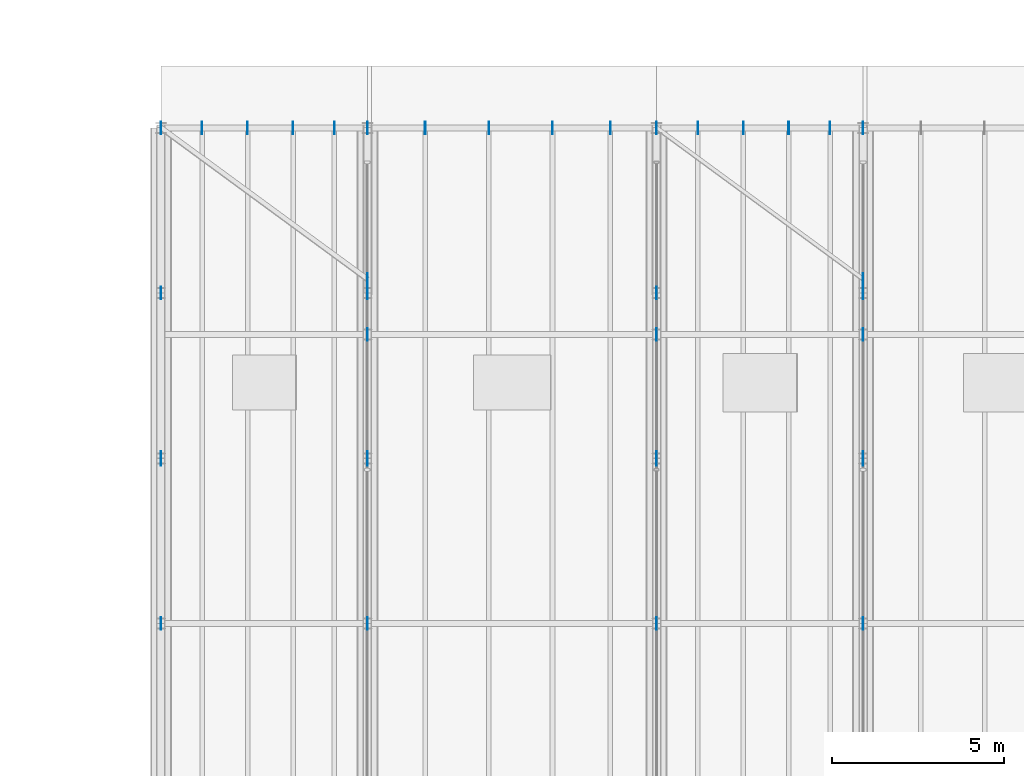
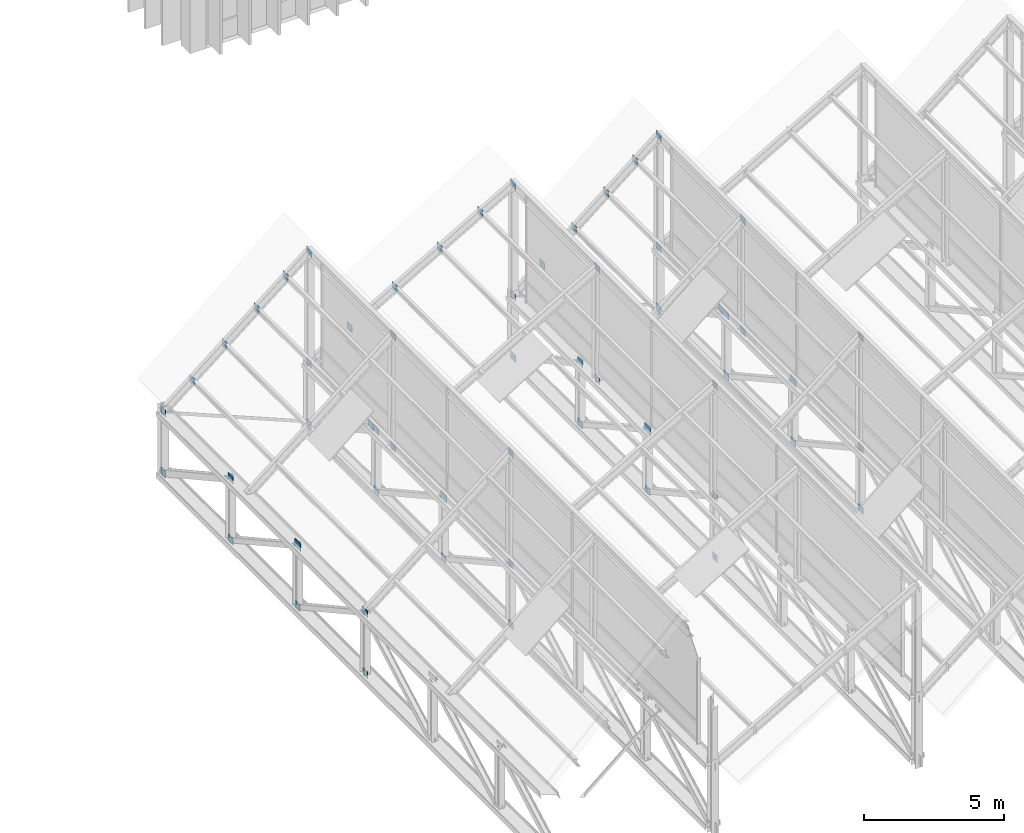
# One storey, part 39 of 101: 58 plates.
"""IFC4 building model written with IfcOpenShell, lengths in metres."""

from ifc_helpers import new_model, si_unit, direction, frame, origin, origin_2d, place, context, subcontext, project, spatial, rectangle, extrude, material, layer, layer_set, type_object, element, save


model = new_model("IFC4")

# Units and contexts
model_context = context("Model", 3, precision=1e-05, world=origin(), true_north=direction((0.0, 1.0)))
body_context = subcontext(model_context, "Body", "Model", "MODEL_VIEW")
ifc_project = project(units=[si_unit("LENGTHUNIT", "METRE"), si_unit("AREAUNIT", "SQUARE_METRE"), si_unit("VOLUMEUNIT", "CUBIC_METRE"), si_unit("PLANEANGLEUNIT", "RADIAN"), si_unit("MASSUNIT", "GRAM", prefix="KILO"), si_unit("THERMODYNAMICTEMPERATUREUNIT", "KELVIN")], contexts=[model_context])

# Site, building, storey
site_placement = place(None, origin())
site = spatial("IfcSite", under=ifc_project, at=site_placement, CompositionType="ELEMENT")
building_placement = place(site_placement, origin())
building = spatial("IfcBuilding", under=site, at=building_placement, Name="Thalorik Housing Commons", CompositionType="ELEMENT")
storey_placement = place(building_placement, frame((0.0, 0.0, 8.10009765625)))
storey = spatial("IfcBuildingStorey", under=building, at=storey_placement, Name="L02", CompositionType="ELEMENT", Elevation=8.10009765625)

# Plates
ifc_material = material(Name="Steel S355", Category="steel")
ifc_layer_1 = layer(ifc_material, 0.01806640625, Name="Steel S355", Category="steel")
ifc_layer_set_1 = layer_set([ifc_layer_1], Name="Steel S355")
plate_type_1 = type_object("IfcPlateType", Name="STR-PLT-GP03", PredefinedType="SHEET", material=ifc_layer_set_1)
for number, where, z_axis, x_axis, name in (
    (1, (66.0, 76.800048828125, 2.830078125), (0.0, 0.0, 1.0), (1.0, 0.0, 0.0), "L02 Truss Node Gusset Plate 3"),
    (2, (72.0, 76.800048828125, 2.830078125), (0.0, 0.0, 1.0), (1.0, 0.0, 0.0), "L02 Truss Node Gusset Plate 7"),
    (3, (80.39990234375, 76.800048828125, 2.830078125), (0.0, 0.0, 1.0), (1.0, 0.0, 0.0), "L02 Truss Node Gusset Plate 11"),
    (4, (86.39990234375, 76.800048828125, 2.830078125), (0.0, 0.0, 1.0), (1.0, 0.0, 0.0), "L02 Truss Node Gusset Plate 15"),
):
    element("IfcPlate", number, at=place(storey_placement, frame(where, z_axis=z_axis, x_axis=x_axis)), inside=storey, type_object=plate_type_1, Name=name, PredefinedType="SHEET", context=body_context, shape_type="SweptSolid", body=[
        extrude(rectangle(XDim=0.01806640625, YDim=0.419921875, at=origin_2d()), origin(), (0.0, 0.0, 1.0), 0.340087890625),
    ])
ifc_layer_2 = layer(ifc_material, 0.01611328125, Name="Steel S355", Category="steel")
ifc_layer_set_2 = layer_set([ifc_layer_2], Name="Steel S355")
plate_type_2 = type_object("IfcPlateType", Name="STR-PLT-GP04", PredefinedType="SHEET", material=ifc_layer_set_2)
for number, where, z_axis, x_axis, name in (
    (5, (66.0, 86.39990234375, 0.19970703125), (0.0, 0.0, 1.0), (1.0, 0.0, 0.0), "L02 Truss Node Gusset Plate 4"),
    (6, (72.0, 86.39990234375, 0.19970703125), (0.0, 0.0, 1.0), (1.0, 0.0, 0.0), "L02 Truss Node Gusset Plate 8"),
    (7, (80.39990234375, 86.39990234375, 0.19970703125), (0.0, 0.0, 1.0), (1.0, 0.0, 0.0), "L02 Truss Node Gusset Plate 12"),
    (8, (86.39990234375, 86.39990234375, 0.19970703125), (0.0, 0.0, 1.0), (1.0, 0.0, 0.0), "L02 Truss Node Gusset Plate 16"),
    (9, (66.0, 86.39990234375, 2.85009765625), (0.0, 0.0, 1.0), (1.0, 0.0, 0.0), "L02 Member End Connection Plate 2"),
    (10, (66.0, 72.0, 0.19970703125), (0.0, 0.0, 1.0), (1.0, 0.0, 0.0), "L02 Member End Connection Plate 6"),
    (11, (66.0, 72.0, 2.85009765625), (0.0, 0.0, 1.0), (1.0, 0.0, 0.0), "L02 Member End Connection Plate 7"),
    (12, (66.0, 76.800048828125, 0.19970703125), (0.0, 0.0, 1.0), (1.0, 0.0, 0.0), "L02 Member End Connection Plate 8"),
    (13, (66.0, 81.60009765625, 0.19970703125), (0.0, 0.0, 1.0), (1.0, 0.0, 0.0), "L02 Member End Connection Plate 9"),
    (14, (66.0, 81.60009765625, 2.85009765625), (0.0, 0.0, 1.0), (1.0, 0.0, 0.0), "L02 Member End Connection Plate 10"),
    (15, (72.0, 86.39990234375, 2.85009765625), (0.0, 0.0, 1.0), (1.0, 0.0, 0.0), "L02 Member End Connection Plate 12"),
    (16, (72.0, 72.0, 0.19970703125), (0.0, 0.0, 1.0), (1.0, 0.0, 0.0), "L02 Member End Connection Plate 16"),
    (17, (72.0, 72.0, 2.85009765625), (0.0, 0.0, 1.0), (1.0, 0.0, 0.0), "L02 Member End Connection Plate 17"),
    (18, (72.0, 76.800048828125, 0.19970703125), (0.0, 0.0, 1.0), (1.0, 0.0, 0.0), "L02 Member End Connection Plate 18"),
    (19, (72.0, 81.60009765625, 0.19970703125), (0.0, 0.0, 1.0), (1.0, 0.0, 0.0), "L02 Member End Connection Plate 19"),
    (20, (72.0, 81.60009765625, 2.85009765625), (0.0, 0.0, 1.0), (1.0, 0.0, 0.0), "L02 Member End Connection Plate 20"),
    (21, (80.39990234375, 86.39990234375, 2.85009765625), (0.0, 0.0, 1.0), (1.0, 0.0, 0.0), "L02 Member End Connection Plate 22"),
    (22, (80.39990234375, 72.0, 0.19970703125), (0.0, 0.0, 1.0), (1.0, 0.0, 0.0), "L02 Member End Connection Plate 26"),
    (23, (80.39990234375, 72.0, 2.85009765625), (0.0, 0.0, 1.0), (1.0, 0.0, 0.0), "L02 Member End Connection Plate 27"),
    (24, (80.39990234375, 76.800048828125, 0.19970703125), (0.0, 0.0, 1.0), (1.0, 0.0, 0.0), "L02 Member End Connection Plate 28"),
    (25, (80.39990234375, 81.60009765625, 0.19970703125), (0.0, 0.0, 1.0), (1.0, 0.0, 0.0), "L02 Member End Connection Plate 29"),
    (26, (80.39990234375, 81.60009765625, 2.85009765625), (0.0, 0.0, 1.0), (1.0, 0.0, 0.0), "L02 Member End Connection Plate 30"),
    (27, (86.39990234375, 86.39990234375, 2.85009765625), (0.0, 0.0, 1.0), (1.0, 0.0, 0.0), "L02 Member End Connection Plate 32"),
    (28, (86.39990234375, 72.0, 0.19970703125), (0.0, 0.0, 1.0), (1.0, 0.0, 0.0), "L02 Member End Connection Plate 36"),
    (29, (86.39990234375, 72.0, 2.85009765625), (0.0, 0.0, 1.0), (1.0, 0.0, 0.0), "L02 Member End Connection Plate 37"),
    (30, (86.39990234375, 76.800048828125, 0.19970703125), (0.0, 0.0, 1.0), (1.0, 0.0, 0.0), "L02 Member End Connection Plate 38"),
    (31, (86.39990234375, 81.60009765625, 0.19970703125), (0.0, 0.0, 1.0), (1.0, 0.0, 0.0), "L02 Member End Connection Plate 39"),
    (32, (86.39990234375, 81.60009765625, 2.85009765625), (0.0, 0.0, 1.0), (1.0, 0.0, 0.0), "L02 Member End Connection Plate 40"),
    (33, (72.0, 72.0, 7.69970703125), (0.0, 0.0, 1.0), (1.0, 0.0, 0.0), "L02 Member End Connection Plate 84"),
    (34, (72.0, 80.39990234375, 2.85009765625), (0.0, 0.0, 1.0), (1.0, 0.0, 0.0), "L02 Member End Connection Plate 85"),
    (35, (72.0, 80.39990234375, 7.69970703125), (0.0, 0.0, 1.0), (1.0, 0.0, 0.0), "L02 Member End Connection Plate 86"),
    (36, (72.0, 86.39990234375, 7.69970703125), (0.0, 0.0, 1.0), (1.0, 0.0, 0.0), "L02 Member End Connection Plate 87"),
    (37, (67.199951171875, 86.39990234375, 3.7841796875), (0.0, 0.0, 1.0), (1.0, 0.0, 0.0), "L02 Member End Connection Plate 89"),
    (38, (68.52001953125, 86.39990234375, 4.90625), (0.0, 0.0, 1.0), (1.0, 0.0, 0.0), "L02 Member End Connection Plate 91"),
    (39, (69.840087890625, 86.39990234375, 5.99365234375), (0.0, 0.0, 1.0), (1.0, 0.0, 0.0), "L02 Member End Connection Plate 93"),
    (40, (71.0400390625, 86.39990234375, 6.9638671875), (0.0, 0.0, 1.0), (1.0, 0.0, 0.0), "L02 Member End Connection Plate 95"),
    (41, (72.0, 82.0, 2.85009765625), (0.0, 0.0, 1.0), (1.0, 0.0, 0.0), "L02 Member End Connection Plate 97"),
    (42, (80.39990234375, 72.0, 7.69970703125), (0.0, 0.0, 1.0), (1.0, 0.0, 0.0), "L02 Member End Connection Plate 101"),
    (43, (80.39990234375, 80.39990234375, 2.85009765625), (0.0, 0.0, 1.0), (1.0, 0.0, 0.0), "L02 Member End Connection Plate 102"),
    (44, (80.39990234375, 80.39990234375, 7.69970703125), (0.0, 0.0, 1.0), (1.0, 0.0, 0.0), "L02 Member End Connection Plate 103"),
    (45, (80.39990234375, 86.39990234375, 7.69970703125), (0.0, 0.0, 1.0), (1.0, 0.0, 0.0), "L02 Member End Connection Plate 104"),
    (46, (73.679931640625, 86.39990234375, 3.826171875), (0.0, 0.0, 1.0), (1.0, 0.0, 0.0), "L02 Member End Connection Plate 106"),
    (47, (75.528076171875, 86.39990234375, 4.9267578125), (0.0, 0.0, 1.0), (1.0, 0.0, 0.0), "L02 Member End Connection Plate 108"),
    (48, (77.3759765625, 86.39990234375, 5.99365234375), (0.0, 0.0, 1.0), (1.0, 0.0, 0.0), "L02 Member End Connection Plate 110"),
    (49, (79.055908203125, 86.39990234375, 6.9638671875), (0.0, 0.0, 1.0), (1.0, 0.0, 0.0), "L02 Member End Connection Plate 112"),
    (50, (86.39990234375, 72.0, 7.69970703125), (0.0, 0.0, 1.0), (1.0, 0.0, 0.0), "L02 Member End Connection Plate 116"),
    (51, (86.39990234375, 80.39990234375, 2.85009765625), (0.0, 0.0, 1.0), (1.0, 0.0, 0.0), "L02 Member End Connection Plate 117"),
    (52, (86.39990234375, 80.39990234375, 7.69970703125), (0.0, 0.0, 1.0), (1.0, 0.0, 0.0), "L02 Member End Connection Plate 118"),
    (53, (86.39990234375, 86.39990234375, 7.69970703125), (0.0, 0.0, 1.0), (1.0, 0.0, 0.0), "L02 Member End Connection Plate 119"),
    (54, (81.60009765625, 86.39990234375, 3.7841796875), (0.0, 0.0, 1.0), (1.0, 0.0, 0.0), "L02 Member End Connection Plate 121"),
    (55, (82.919921875, 86.39990234375, 4.90625), (0.0, 0.0, 1.0), (1.0, 0.0, 0.0), "L02 Member End Connection Plate 123"),
    (56, (84.239990234375, 86.39990234375, 5.99365234375), (0.0, 0.0, 1.0), (1.0, 0.0, 0.0), "L02 Member End Connection Plate 125"),
    (57, (85.43994140625, 86.39990234375, 6.9638671875), (0.0, 0.0, 1.0), (1.0, 0.0, 0.0), "L02 Member End Connection Plate 127"),
    (58, (86.39990234375, 82.0, 2.85009765625), (0.0, 0.0, 1.0), (1.0, 0.0, 0.0), "L02 Member End Connection Plate 129"),
):
    element("IfcPlate", number, at=place(storey_placement, frame(where, z_axis=z_axis, x_axis=x_axis)), inside=storey, type_object=plate_type_2, Name=name, PredefinedType="SHEET", context=body_context, shape_type="SweptSolid", body=[
        extrude(rectangle(XDim=0.01611328125, YDim=0.360107421875, at=origin_2d()), origin(), (0.0, 0.0, 1.0), 0.300048828125),
    ])

save(model, "model.ifc")
